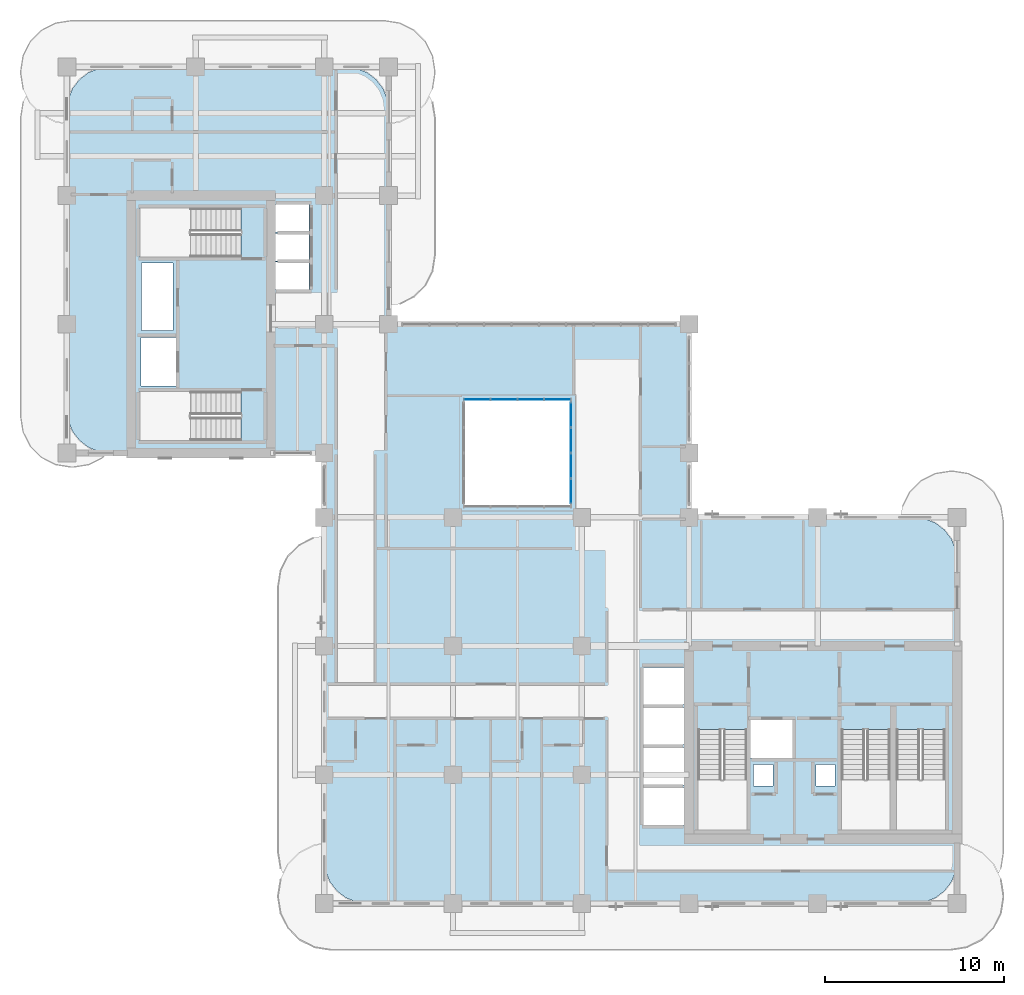
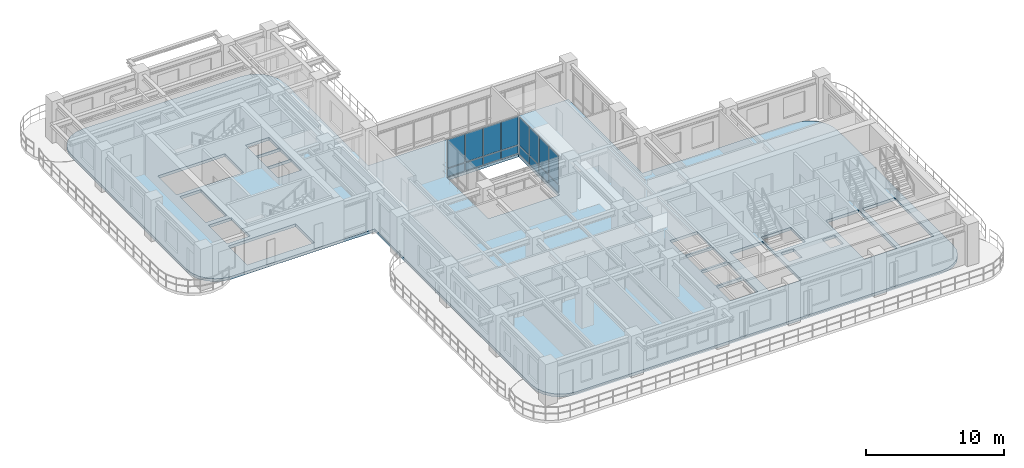
# One storey, part 8 of 20: 16 plates, 1 slab, 2 elements without a shape of their own.
"""IFC4 building model written with IfcOpenShell, lengths in metres."""

from ifc_helpers import new_model, si_unit, derived_unit, direction, frame, origin, origin_2d, place, context, subcontext, project, spatial, polyline, rectangle, outline, extrude, source, transform, mapped, material, layer, layer_set, type_object, element, aggregate, save


model = new_model("IFC4")

# Units and contexts
model_context = context("Model", 3, precision=1e-05, world=origin(), true_north=direction((0.0, 1.0)))
body_context = subcontext(model_context, "Body", "Model", "MODEL_VIEW")
ifc_project = project(units=[si_unit("LENGTHUNIT", "METRE"), si_unit("AREAUNIT", "SQUARE_METRE"), si_unit("VOLUMEUNIT", "CUBIC_METRE"), si_unit("PLANEANGLEUNIT", "RADIAN"), si_unit("MASSUNIT", "GRAM", prefix="KILO"), si_unit("THERMODYNAMICTEMPERATUREUNIT", "KELVIN"), si_unit("POWERUNIT", "WATT"), derived_unit("THERMALTRANSMITTANCEUNIT", [(si_unit("POWERUNIT", "WATT"), 1), (si_unit("AREAUNIT", "SQUARE_METRE"), -1), (si_unit("THERMODYNAMICTEMPERATUREUNIT", "KELVIN"), -1)])], contexts=[model_context])

# Site, building, storey
site_placement = place(None, origin())
site = spatial("IfcSite", under=ifc_project, at=site_placement, CompositionType="ELEMENT")
building_placement = place(site_placement, origin())
building = spatial("IfcBuilding", under=site, at=building_placement, Name="Zahravan Archway Hotel and Residences", CompositionType="ELEMENT")
storey_placement = place(building_placement, frame((0.0, 0.0, 122.89990234375)))
storey = spatial("IfcBuildingStorey", under=building, at=storey_placement, Name="L30", CompositionType="ELEMENT", Elevation=122.89990234375)

# Slab
ifc_material_1 = material(Name="Concrete C45/55", Category="concrete")
ifc_layer_1 = layer(ifc_material_1, 0.25, Name="Concrete C45/55", Category="concrete")
ifc_layer_set_1 = layer_set([ifc_layer_1], Name="Concrete C45/55")
slab_type = type_object("IfcSlabType", Name="SLB-FLR-250", PredefinedType="FLOOR", material=ifc_layer_set_1)
slab_placement = place(storey_placement, frame((0.0, 0.0, -0.25)))
element("IfcSlab", 1, at=slab_placement, inside=storey, type_object=slab_type, Name="L30 Floor Slab LB", PredefinedType="FLOOR", context=body_context, shape_type="SweptSolid", body=[
    extrude(outline(polyline([(34.800048828125, 21.60009765625), (34.800048828125, 32.39990234375), (18.0, 32.39990234375), (18.0, 44.39990234375), (17.918212890625, 45.021240234375), (17.678466796875, 45.60009765625), (17.297119140625, 46.09716796875), (16.800048828125, 46.478515625), (16.22119140625, 46.71826171875), (15.60009765625, 46.800048828125), (2.39990234375, 46.800048828125), (1.77880859375, 46.71826171875), (1.199951171875, 46.478515625), (0.702880859375, 46.09716796875), (0.321533203125, 45.60009765625), (0.081787109375, 45.021240234375), (0.0, 44.39990234375), (0.0, 27.60009765625), (0.081787109375, 26.978759765625), (0.321533203125, 26.39990234375), (0.702880859375, 25.90283203125), (1.199951171875, 25.521484375), (1.77880859375, 25.28173828125), (2.39990234375, 25.199951171875), (14.39990234375, 25.199951171875), (14.39990234375, 19.199951171875), (14.39990234375, 19.10009765625), (14.39990234375, 2.39990234375), (14.481689453125, 1.77880859375), (14.721435546875, 1.199951171875), (15.102783203125, 0.702880859375), (15.60009765625, 0.321533203125), (16.1787109375, 0.081787109375), (16.800048828125, 0.0), (47.39990234375, 0.0), (48.021240234375, 0.081787109375), (48.60009765625, 0.321533203125), (49.09716796875, 0.702880859375), (49.478515625, 1.199951171875), (49.71826171875, 1.77880859375), (49.800048828125, 2.39990234375), (49.800048828125, 19.199951171875), (49.71826171875, 19.8212890625), (49.478515625, 20.39990234375), (49.09716796875, 20.897216796875), (48.60009765625, 21.278564453125), (48.021240234375, 21.518310546875), (47.39990234375, 21.60009765625), (34.800048828125, 21.60009765625)]), holes=[polyline([(35.300048828125, 9.72998046875), (35.300048828125, 4.10009765625), (38.0400390625, 4.10009765625), (38.0400390625, 9.72998046875), (35.300048828125, 9.72998046875)]), polyline([(43.320068359375, 9.72998046875), (43.320068359375, 4.10009765625), (46.06005859375, 4.10009765625), (46.06005859375, 9.72998046875), (43.320068359375, 9.72998046875)]), polyline([(46.39990234375, 9.72998046875), (46.39990234375, 4.10009765625), (49.139892578125, 4.10009765625), (49.139892578125, 9.72998046875), (46.39990234375, 9.72998046875)]), polyline([(9.72998046875, 28.639892578125), (4.10009765625, 28.639892578125), (4.10009765625, 25.89990234375), (9.72998046875, 25.89990234375), (9.72998046875, 28.639892578125)]), polyline([(9.72998046875, 38.89990234375), (4.10009765625, 38.89990234375), (4.10009765625, 36.159912109375), (9.72998046875, 36.159912109375), (9.72998046875, 38.89990234375)]), polyline([(38.179931640625, 8.14990234375), (40.699951171875, 8.14990234375), (40.699951171875, 10.25), (38.179931640625, 10.25), (38.179931640625, 8.14990234375)]), polyline([(4.14990234375, 28.949951171875), (6.10009765625, 28.949951171875), (6.10009765625, 31.64990234375), (4.14990234375, 31.64990234375), (4.14990234375, 28.949951171875)]), polyline([(11.550048828125, 34.35009765625), (13.550048828125, 34.35009765625), (13.550048828125, 35.889892578125), (11.550048828125, 35.889892578125), (11.550048828125, 34.35009765625)]), polyline([(11.550048828125, 35.949951171875), (13.550048828125, 35.949951171875), (13.550048828125, 37.489990234375), (11.550048828125, 37.489990234375), (11.550048828125, 35.949951171875)]), polyline([(11.550048828125, 37.550048828125), (13.550048828125, 37.550048828125), (13.550048828125, 39.090087890625), (11.550048828125, 39.090087890625), (11.550048828125, 37.550048828125)]), polyline([(32.25, 4.39990234375), (34.550048828125, 4.39990234375), (34.550048828125, 6.47998046875), (32.25, 6.47998046875), (32.25, 4.39990234375)]), polyline([(32.25, 6.639892578125), (34.550048828125, 6.639892578125), (34.550048828125, 8.719970703125), (32.25, 8.719970703125), (32.25, 6.639892578125)]), polyline([(32.25, 8.8798828125), (34.550048828125, 8.8798828125), (34.550048828125, 10.9599609375), (32.25, 10.9599609375), (32.25, 8.8798828125)]), polyline([(32.25, 11.1201171875), (34.550048828125, 11.1201171875), (34.550048828125, 13.199951171875), (32.25, 13.199951171875), (32.25, 11.1201171875)]), polyline([(22.199951171875, 22.199951171875), (28.199951171875, 22.199951171875), (28.199951171875, 28.199951171875), (22.199951171875, 28.199951171875), (22.199951171875, 22.199951171875)]), polyline([(38.419921875, 6.56005859375), (39.5, 6.56005859375), (39.5, 7.780029296875), (38.419921875, 7.780029296875), (38.419921875, 6.56005859375)]), polyline([(41.89990234375, 6.56005859375), (42.9599609375, 6.56005859375), (42.9599609375, 7.780029296875), (41.89990234375, 7.780029296875), (41.89990234375, 6.56005859375)]), polyline([(4.179931640625, 32.050048828125), (5.93994140625, 32.050048828125), (5.93994140625, 35.840087890625), (4.179931640625, 35.840087890625), (4.179931640625, 32.050048828125)])]), origin(), (0.0, 0.0, 1.0), 0.25),
])

# Curtain wall, plates
ifc_material_2 = material(Name="Bronze-Anodized Unitised Aluminium & Low-E Glass", Category="aluminium")
ifc_layer_2 = layer(ifc_material_2, 0.179931640625, Name="Bronze-Anodized Unitised Aluminium & Low-E Glass", Category="aluminium")
ifc_layer_set_2 = layer_set([ifc_layer_2], Name="Bronze-Anodized Unitised Aluminium & Low-E Glass")
curtain_wall_type = type_object("IfcCurtainWallType", Name="CW-ATR-GLAZ", PredefinedType="NOTDEFINED", material=ifc_layer_set_2)
curtain_wall_1_placement = place(storey_placement, origin())
curtain_wall_1 = element("IfcCurtainWall", 2, at=curtain_wall_1_placement, inside=storey, type_object=curtain_wall_type, Name="L30 Curtain Wall CW-ATR-L30-N-1", PredefinedType="NOTDEFINED")
ifc_material_3 = material(Name="Insulated Terracotta Spandrel Panel", Category="masonry")
ifc_layer_3 = layer(ifc_material_3, 0.0400390625, Name="Insulated Terracotta Spandrel Panel", Category="masonry")
ifc_layer_set_3 = layer_set([ifc_layer_3], Name="Insulated Terracotta Spandrel Panel")
plate_type_1 = type_object("IfcPlateType", Name="CWP-SPN-40", PredefinedType="SHEET", material=ifc_layer_set_3)
shared_shape_1 = source(origin(), body_context, "Body", "SweptSolid", [
    extrude(rectangle(XDim=1.419921875, YDim=0.0400390625, at=origin_2d()), origin(), (0.0, 0.0, 1.0), 0.68798828125),
])
plate_1_placement = place(storey_placement, frame((22.949951171875, 28.199951171875, 0.10009765625), z_axis=(0.0, 0.0, 1.0), x_axis=(1.0, 0.0, 0.0)))
plate_1 = element("IfcPlate", 3, at=plate_1_placement, type_object=plate_type_1, Name="CW-ATR-L30-N-1 Spandrel Panel 0", PredefinedType="SHEET", context=body_context, shape_type="MappedRepresentation", body=[
    mapped(shared_shape_1, transform((0.0, 0.0, 0.0), scale=1.0)),
])
plate_2_placement = place(storey_placement, frame((24.449951171875, 28.199951171875, 0.10009765625), z_axis=(0.0, 0.0, 1.0), x_axis=(1.0, 0.0, 0.0)))
plate_2 = element("IfcPlate", 4, at=plate_2_placement, type_object=plate_type_1, Name="CW-ATR-L30-N-1 Spandrel Panel 1", PredefinedType="SHEET", context=body_context, shape_type="MappedRepresentation", body=[
    mapped(shared_shape_1, transform((0.0, 0.0, 0.0), scale=1.0)),
])
plate_3_placement = place(storey_placement, frame((25.949951171875, 28.199951171875, 0.10009765625), z_axis=(0.0, 0.0, 1.0), x_axis=(1.0, 0.0, 0.0)))
plate_3 = element("IfcPlate", 5, at=plate_3_placement, type_object=plate_type_1, Name="CW-ATR-L30-N-1 Spandrel Panel 2", PredefinedType="SHEET", context=body_context, shape_type="MappedRepresentation", body=[
    mapped(shared_shape_1, transform((0.0, 0.0, 0.0), scale=1.0)),
])
plate_4_placement = place(storey_placement, frame((27.449951171875, 28.199951171875, 0.10009765625), z_axis=(0.0, 0.0, 1.0), x_axis=(1.0, 0.0, 0.0)))
plate_4 = element("IfcPlate", 6, at=plate_4_placement, type_object=plate_type_1, Name="CW-ATR-L30-N-1 Spandrel Panel 3", PredefinedType="SHEET", context=body_context, shape_type="MappedRepresentation", body=[
    mapped(shared_shape_1, transform((0.0, 0.0, 0.0), scale=1.0)),
])
ifc_material_4 = material(Name="Double-Silver Low-E Insulated Vision Glass", Category="glass")
ifc_layer_4 = layer(ifc_material_4, 0.028076171875, Name="Double-Silver Low-E Insulated Vision Glass", Category="glass")
ifc_layer_set_4 = layer_set([ifc_layer_4], Name="Double-Silver Low-E Insulated Vision Glass")
plate_type_2 = type_object("IfcPlateType", Name="CWP-GLZ-28", PredefinedType="CURTAIN_PANEL", material=ifc_layer_set_4)
shared_shape_2 = source(origin(), body_context, "Body", "SweptSolid", [
    extrude(rectangle(XDim=1.419921875, YDim=0.028076171875, at=origin_2d()), origin(), (0.0, 0.0, 1.0), 2.48193359375),
])
plate_5_placement = place(storey_placement, frame((22.949951171875, 28.199951171875, 0.8681640625), z_axis=(0.0, 0.0, 1.0), x_axis=(1.0, 0.0, 0.0)))
plate_5 = element("IfcPlate", 7, at=plate_5_placement, type_object=plate_type_2, Name="CW-ATR-L30-N-1 Low-E Vision Panel 0", PredefinedType="CURTAIN_PANEL", context=body_context, shape_type="MappedRepresentation", body=[
    mapped(shared_shape_2, transform((0.0, 0.0, 0.0), scale=1.0)),
])
plate_6_placement = place(storey_placement, frame((24.449951171875, 28.199951171875, 0.8681640625), z_axis=(0.0, 0.0, 1.0), x_axis=(1.0, 0.0, 0.0)))
plate_6 = element("IfcPlate", 8, at=plate_6_placement, type_object=plate_type_2, Name="CW-ATR-L30-N-1 Low-E Vision Panel 1", PredefinedType="CURTAIN_PANEL", context=body_context, shape_type="MappedRepresentation", body=[
    mapped(shared_shape_2, transform((0.0, 0.0, 0.0), scale=1.0)),
])
plate_7_placement = place(storey_placement, frame((25.949951171875, 28.199951171875, 0.8681640625), z_axis=(0.0, 0.0, 1.0), x_axis=(1.0, 0.0, 0.0)))
plate_7 = element("IfcPlate", 9, at=plate_7_placement, type_object=plate_type_2, Name="CW-ATR-L30-N-1 Low-E Vision Panel 2", PredefinedType="CURTAIN_PANEL", context=body_context, shape_type="MappedRepresentation", body=[
    mapped(shared_shape_2, transform((0.0, 0.0, 0.0), scale=1.0)),
])
plate_8_placement = place(storey_placement, frame((27.449951171875, 28.199951171875, 0.8681640625), z_axis=(0.0, 0.0, 1.0), x_axis=(1.0, 0.0, 0.0)))
plate_8 = element("IfcPlate", 10, at=plate_8_placement, type_object=plate_type_2, Name="CW-ATR-L30-N-1 Low-E Vision Panel 3", PredefinedType="CURTAIN_PANEL", context=body_context, shape_type="MappedRepresentation", body=[
    mapped(shared_shape_2, transform((0.0, 0.0, 0.0), scale=1.0)),
])
aggregate(curtain_wall_1, [plate_1, plate_5, plate_2, plate_6, plate_3, plate_7, plate_4, plate_8])

curtain_wall_2_placement = place(storey_placement, origin())
curtain_wall_2 = element("IfcCurtainWall", 11, at=curtain_wall_2_placement, inside=storey, type_object=curtain_wall_type, Name="L30 Curtain Wall CW-ATR-L30-E-1", PredefinedType="NOTDEFINED")
shared_shape_3 = source(origin(), body_context, "Body", "SweptSolid", [
    extrude(rectangle(XDim=1.344970703125, YDim=0.0400390625, at=origin_2d()), origin(), (0.0, 0.0, 1.0), 0.68798828125),
])
plate_9_placement = place(storey_placement, frame((28.199951171875, 23.0625, 0.10009765625), z_axis=(0.0, 0.0, 1.0), x_axis=(0.0, 1.0, 0.0)))
plate_9 = element("IfcPlate", 12, at=plate_9_placement, type_object=plate_type_1, Name="CW-ATR-L30-E-1 Spandrel Panel 0", PredefinedType="SHEET", context=body_context, shape_type="MappedRepresentation", body=[
    mapped(shared_shape_3, transform((0.0, 0.0, 0.0), scale=1.0)),
])
plate_10_placement = place(storey_placement, frame((28.199951171875, 24.487548828125, 0.10009765625), z_axis=(0.0, 0.0, 1.0), x_axis=(0.0, 1.0, 0.0)))
plate_10 = element("IfcPlate", 13, at=plate_10_placement, type_object=plate_type_1, Name="CW-ATR-L30-E-1 Spandrel Panel 1", PredefinedType="SHEET", context=body_context, shape_type="MappedRepresentation", body=[
    mapped(shared_shape_3, transform((0.0, 0.0, 0.0), scale=1.0)),
])
plate_11_placement = place(storey_placement, frame((28.199951171875, 25.91259765625, 0.10009765625), z_axis=(0.0, 0.0, 1.0), x_axis=(0.0, 1.0, 0.0)))
plate_11 = element("IfcPlate", 14, at=plate_11_placement, type_object=plate_type_1, Name="CW-ATR-L30-E-1 Spandrel Panel 2", PredefinedType="SHEET", context=body_context, shape_type="MappedRepresentation", body=[
    mapped(shared_shape_3, transform((0.0, 0.0, 0.0), scale=1.0)),
])
plate_12_placement = place(storey_placement, frame((28.199951171875, 27.33740234375, 0.10009765625), z_axis=(0.0, 0.0, 1.0), x_axis=(0.0, 1.0, 0.0)))
plate_12 = element("IfcPlate", 15, at=plate_12_placement, type_object=plate_type_1, Name="CW-ATR-L30-E-1 Spandrel Panel 3", PredefinedType="SHEET", context=body_context, shape_type="MappedRepresentation", body=[
    mapped(shared_shape_3, transform((0.0, 0.0, 0.0), scale=1.0)),
])
shared_shape_4 = source(origin(), body_context, "Body", "SweptSolid", [
    extrude(rectangle(XDim=1.344970703125, YDim=0.028076171875, at=origin_2d()), origin(), (0.0, 0.0, 1.0), 2.48193359375),
])
plate_13_placement = place(storey_placement, frame((28.199951171875, 23.0625, 0.8681640625), z_axis=(0.0, 0.0, 1.0), x_axis=(0.0, 1.0, 0.0)))
plate_13 = element("IfcPlate", 16, at=plate_13_placement, type_object=plate_type_2, Name="CW-ATR-L30-E-1 Low-E Vision Panel 0", PredefinedType="CURTAIN_PANEL", context=body_context, shape_type="MappedRepresentation", body=[
    mapped(shared_shape_4, transform((0.0, 0.0, 0.0), scale=1.0)),
])
plate_14_placement = place(storey_placement, frame((28.199951171875, 24.487548828125, 0.8681640625), z_axis=(0.0, 0.0, 1.0), x_axis=(0.0, 1.0, 0.0)))
plate_14 = element("IfcPlate", 17, at=plate_14_placement, type_object=plate_type_2, Name="CW-ATR-L30-E-1 Low-E Vision Panel 1", PredefinedType="CURTAIN_PANEL", context=body_context, shape_type="MappedRepresentation", body=[
    mapped(shared_shape_4, transform((0.0, 0.0, 0.0), scale=1.0)),
])
plate_15_placement = place(storey_placement, frame((28.199951171875, 25.91259765625, 0.8681640625), z_axis=(0.0, 0.0, 1.0), x_axis=(0.0, 1.0, 0.0)))
plate_15 = element("IfcPlate", 18, at=plate_15_placement, type_object=plate_type_2, Name="CW-ATR-L30-E-1 Low-E Vision Panel 2", PredefinedType="CURTAIN_PANEL", context=body_context, shape_type="MappedRepresentation", body=[
    mapped(shared_shape_4, transform((0.0, 0.0, 0.0), scale=1.0)),
])
plate_16_placement = place(storey_placement, frame((28.199951171875, 27.33740234375, 0.8681640625), z_axis=(0.0, 0.0, 1.0), x_axis=(0.0, 1.0, 0.0)))
plate_16 = element("IfcPlate", 19, at=plate_16_placement, type_object=plate_type_2, Name="CW-ATR-L30-E-1 Low-E Vision Panel 3", PredefinedType="CURTAIN_PANEL", context=body_context, shape_type="MappedRepresentation", body=[
    mapped(shared_shape_4, transform((0.0, 0.0, 0.0), scale=1.0)),
])
aggregate(curtain_wall_2, [plate_9, plate_13, plate_10, plate_14, plate_11, plate_15, plate_12, plate_16])

save(model, "model.ifc")
